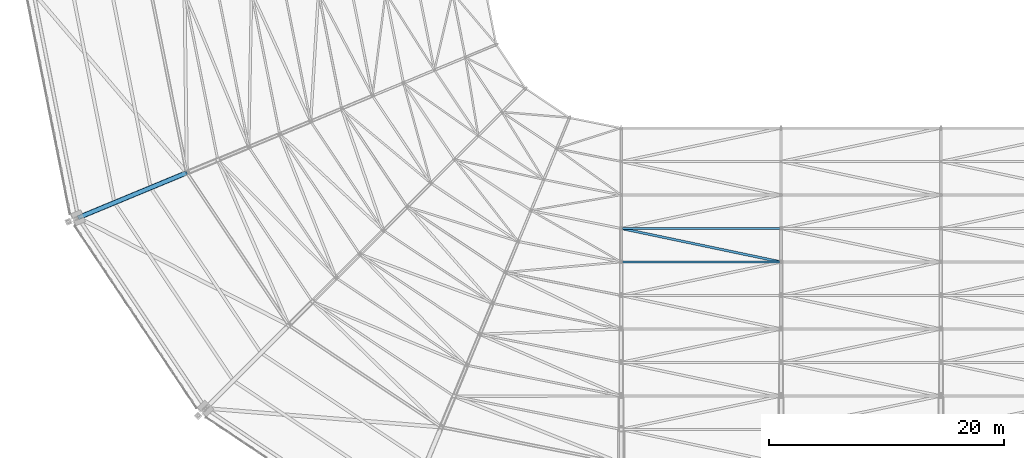
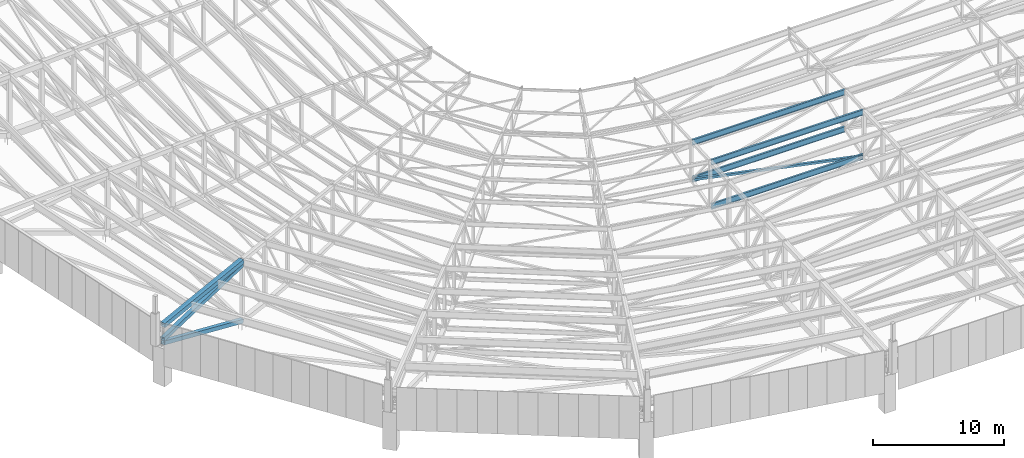
# One storey, part 8 of 278: 6 members, 2 beams.
"""IFC4 building model written with IfcOpenShell, lengths in metres."""

from ifc_helpers import new_model, si_unit, direction, frame, origin, origin_2d, place, context, subcontext, project, spatial, hollow_rectangle, i_section, extrude, material, material_profile, profile_set, type_object, element, save


model = new_model("IFC4")

# Units and contexts
model_context = context("Model", 3, precision=1e-05, world=origin(), true_north=direction((0.0, 1.0)))
body_context = subcontext(model_context, "Body", "Model", "MODEL_VIEW")
ifc_project = project(units=[si_unit("LENGTHUNIT", "METRE"), si_unit("AREAUNIT", "SQUARE_METRE"), si_unit("VOLUMEUNIT", "CUBIC_METRE"), si_unit("PLANEANGLEUNIT", "RADIAN"), si_unit("MASSUNIT", "GRAM", prefix="KILO")], contexts=[model_context])

# Site, building, storey
site_placement = place(None, origin())
site = spatial("IfcSite", under=ifc_project, at=site_placement, CompositionType="ELEMENT")
building_placement = place(site_placement, origin())
building = spatial("IfcBuilding", under=site, at=building_placement, Name="Ogive Plaza Stadium", CompositionType="ELEMENT")
storey_placement = place(building_placement, frame((0.0, 0.0, 29.0)))
storey = spatial("IfcBuildingStorey", under=building, at=storey_placement, Name="Roof", CompositionType="ELEMENT", Elevation=29.0)

# Members
ifc_material_1 = material(Name="Steel ASTM A500 Grade C", Category="steel")
ifc_material_profile_1 = material_profile(ifc_material_1, hollow_rectangle(XDim=0.203125, YDim=0.203125, WallThickness=0.0087890625, at=origin_2d()), Name="HSS8X8X3/8")
ifc_profile_set_1 = profile_set([ifc_material_profile_1], Name="Steel ASTM A500 Grade C")
member_type_1 = type_object("IfcMemberType", Name="Roof plan brace HSS8X8X3/8", PredefinedType="BRACE", material=ifc_profile_set_1)
member_1_placement = place(storey_placement, frame((-33.906982421875, -72.569580078125, 3.269775390625), z_axis=(0.977081723689, -0.204756162013, -0.058191230868), x_axis=(0.205103719581, 0.978740243483, 0.0)))
element("IfcMember", 1, at=member_1_placement, inside=storey, type_object=member_type_1, Name="ROOF BRACE B16 4", PredefinedType="BRACE", context=body_context, shape_type="SweptSolid", body=[
    extrude(hollow_rectangle(XDim=0.203125, YDim=0.203125, WallThickness=0.0087890625, at=origin_2d()), origin(), (0.0, 0.0, 1.0), 13.702392578125),
])
ifc_material_2 = material(Name="Steel ASTM A992 Grade 50", Category="steel")
ifc_material_profile_2 = material_profile(ifc_material_2, i_section(OverallWidth=0.1650390625, OverallDepth=0.524658203125, WebThickness=0.0087890625, FlangeThickness=0.011474609375, at=origin_2d()), Name="W21X44")
ifc_profile_set_2 = profile_set([ifc_material_profile_2], Name="Steel ASTM A992 Grade 50")
member_type_2 = type_object("IfcMemberType", Name="Roof plan strut W21X44", PredefinedType="STRUT", material=ifc_profile_set_2)
member_2_placement = place(storey_placement, frame((-20.4716796875, -72.550048828125, 3.275146484375), z_axis=(-1.0, 0.0, 0.0), x_axis=(0.0, -1.0, 0.0)))
element("IfcMember", 2, at=member_2_placement, inside=storey, type_object=member_type_2, Name="ROOF STRUT B16 3", PredefinedType="STRUT", context=body_context, shape_type="SweptSolid", body=[
    extrude(i_section(OverallWidth=0.1650390625, OverallDepth=0.524658203125, WebThickness=0.0087890625, FlangeThickness=0.011474609375, at=origin_2d()), origin(), (0.0, 0.0, 1.0), 13.456787109375),
])
member_3_placement = place(storey_placement, frame((-20.4970703125, -75.39990234375, 2.46533203125), z_axis=(-1.0, 0.0, 0.0), x_axis=(0.0, -1.0, 0.0)))
element("IfcMember", 3, at=member_3_placement, inside=storey, type_object=member_type_2, Name="ROOF STRUT B16 4", PredefinedType="STRUT", context=body_context, shape_type="SweptSolid", body=[
    extrude(i_section(OverallWidth=0.1650390625, OverallDepth=0.524658203125, WebThickness=0.0087890625, FlangeThickness=0.011474609375, at=origin_2d()), origin(), (0.0, 0.0, 1.0), 13.406005859375),
])
ifc_material_3 = material(Name="Steel ASTM A992 Grade 50", Category="steel")
ifc_material_profile_3 = material_profile(ifc_material_3, i_section(OverallWidth=0.1650390625, OverallDepth=0.524658203125, WebThickness=0.0087890625, FlangeThickness=0.011474609375, at=origin_2d()), Name="W21X44")
ifc_profile_set_3 = profile_set([ifc_material_profile_3], Name="Steel ASTM A992 Grade 50")
member_type_3 = type_object("IfcMemberType", Name="Roof purlin W21X44", PredefinedType="PURLIN", material=ifc_profile_set_3)
member_4_placement = place(storey_placement, frame((-20.4716796875, -72.550048828125, 6.735107421875), z_axis=(-1.0, 0.0, 0.0), x_axis=(0.0, -1.0, 0.0)))
element("IfcMember", 4, at=member_4_placement, inside=storey, type_object=member_type_3, Name="ROOF PURLIN B16 3", PredefinedType="PURLIN", context=body_context, shape_type="SweptSolid", body=[
    extrude(i_section(OverallWidth=0.1650390625, OverallDepth=0.524658203125, WebThickness=0.0087890625, FlangeThickness=0.011474609375, at=origin_2d()), origin(), (0.0, 0.0, 1.0), 13.456787109375),
])
member_5_placement = place(storey_placement, frame((-20.4970703125, -75.39990234375, 6.592529296875), z_axis=(-1.0, 0.0, 0.0), x_axis=(0.0, -1.0, 0.0)))
element("IfcMember", 5, at=member_5_placement, inside=storey, type_object=member_type_3, Name="ROOF PURLIN B16 4", PredefinedType="PURLIN", context=body_context, shape_type="SweptSolid", body=[
    extrude(i_section(OverallWidth=0.1650390625, OverallDepth=0.524658203125, WebThickness=0.0087890625, FlangeThickness=0.011474609375, at=origin_2d()), origin(), (0.0, 0.0, 1.0), 13.406005859375),
])

# Beams
ifc_material_4 = material(Name="Steel ASTM A500 Grade C", Category="steel")
ifc_material_profile_4 = material_profile(ifc_material_4, hollow_rectangle(XDim=0.355712890625, YDim=0.355712890625, WallThickness=0.0146484375, at=origin_2d()), Name="HSS14X14X5/8")
ifc_profile_set_4 = profile_set([ifc_material_profile_4], Name="Steel ASTM A500 Grade C")
beam_type_1 = type_object("IfcBeamType", Name="Roof truss back-span bottom chord HSS14X14X5/8", PredefinedType="BEAM", material=ifc_profile_set_4)
beam_1_placement = place(storey_placement, frame((-71.00146484375, -67.826416015625, 0.205810546875), z_axis=(-0.8720107052, -0.361198342864, 0.330352973543), x_axis=(0.382683145003, -0.92387965154, 0.0)))
element("IfcBeam", 6, at=beam_1_placement, inside=storey, type_object=beam_type_1, Name="ROOF TRUSS T20 BOTTOM CHORD 11", PredefinedType="BEAM", context=body_context, shape_type="SweptSolid", body=[
    extrude(hollow_rectangle(XDim=0.355712890625, YDim=0.355712890625, WallThickness=0.0146484375, at=origin_2d()), origin(), (0.0, 0.0, 1.0), 10.4794921875),
])
ifc_material_5 = material(Name="Steel ASTM A500 Grade C", Category="steel")
ifc_material_profile_5 = material_profile(ifc_material_5, hollow_rectangle(XDim=0.406494140625, YDim=0.406494140625, WallThickness=0.01171875, at=origin_2d()), Name="HSS16X16X1/2")
ifc_profile_set_5 = profile_set([ifc_material_profile_5], Name="Steel ASTM A500 Grade C")
beam_type_2 = type_object("IfcBeamType", Name="Roof truss back-span top chord HSS16X16X1/2", PredefinedType="BEAM", material=ifc_profile_set_5)
beam_2_placement = place(storey_placement, frame((-71.00146484375, -67.826416015625, 5.7939453125), z_axis=(-0.922724635654, -0.382212873931, -0.049925602233), x_axis=(0.382690111637, -0.923876765838, 0.0)))
element("IfcBeam", 7, at=beam_2_placement, inside=storey, type_object=beam_type_2, Name="ROOF TRUSS T20 TOP CHORD 11", PredefinedType="BEAM", context=body_context, shape_type="SweptSolid", body=[
    extrude(hollow_rectangle(XDim=0.406494140625, YDim=0.406494140625, WallThickness=0.01171875, at=origin_2d()), origin(), (0.0, 0.0, 1.0), 9.912109375),
])

# Member
ifc_material_6 = material(Name="Steel ASTM A500 Grade C", Category="steel")
ifc_material_profile_6 = material_profile(ifc_material_6, hollow_rectangle(XDim=0.355712890625, YDim=0.355712890625, WallThickness=0.01171875, at=origin_2d()), Name="HSS14X14X1/2")
ifc_profile_set_6 = profile_set([ifc_material_profile_6], Name="Steel ASTM A500 Grade C")
member_type_4 = type_object("IfcMemberType", Name="Roof truss back-stay HSS14X14X1/2", PredefinedType="BRACE", material=ifc_profile_set_6)
member_6_placement = place(storey_placement, frame((-71.01708984375, -67.8330078125, 5.456787109375), z_axis=(-0.913970348271, -0.378574229049, -0.146081332079), x_axis=(0.382679390263, -0.923881206794, 0.0)))
element("IfcMember", 8, at=member_6_placement, inside=storey, type_object=member_type_4, Name="BACK-STAY T20", PredefinedType="BRACE", context=body_context, shape_type="SweptSolid", body=[
    extrude(hollow_rectangle(XDim=0.355712890625, YDim=0.355712890625, WallThickness=0.01171875, at=origin_2d()), origin(), (0.0, 0.0, 1.0), 10.024169921875),
])

save(model, "model.ifc")
